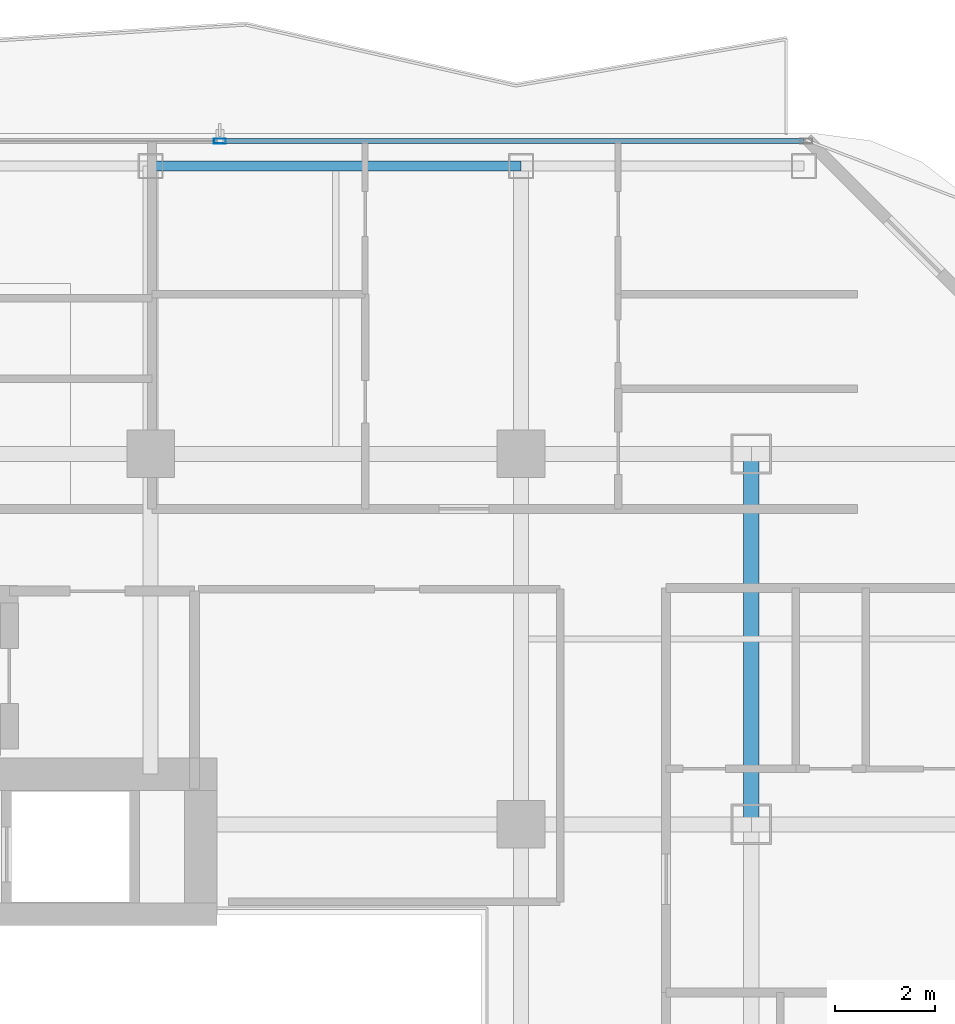
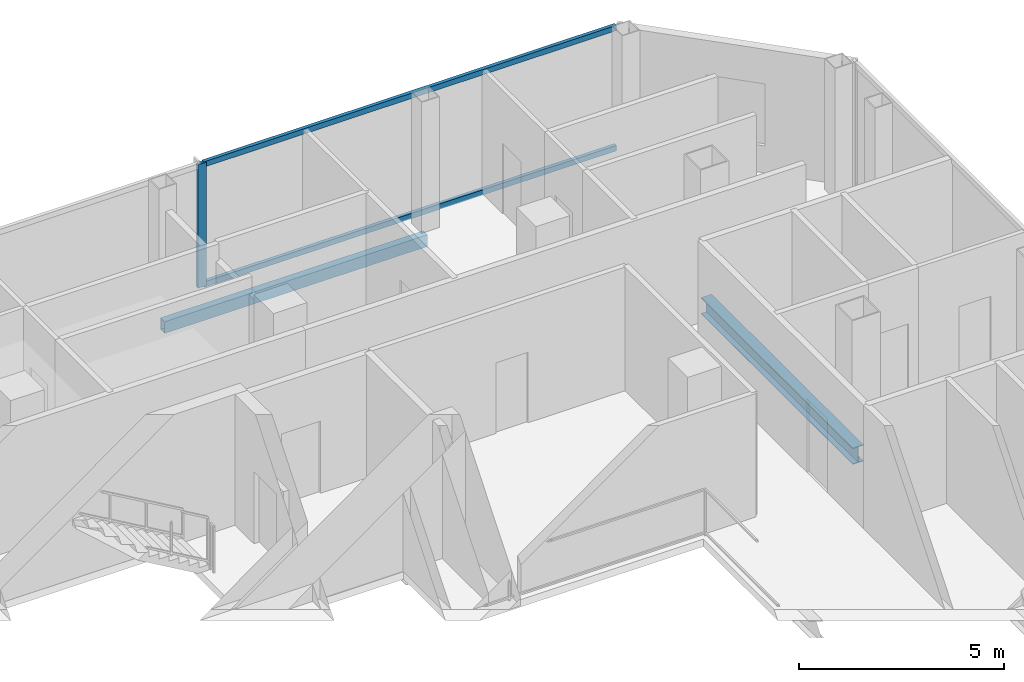
# One storey, part 14 of 26: 3 members, 2 beams, 1 element without a shape of its own.
"""IFC4 building model written with IfcOpenShell, lengths in metres."""

import ifcopenshell
import ifcopenshell.guid

model = None  # the IFC model being written
_history = None  # IfcOwnerHistory: only IFC2X3 demands one
_inside = {}  # id of a spatial element -> (the spatial element, [elements in it])
_under = {}  # id of a project, library or spatial element -> (it, [spatial elements below it])
_declared = {}  # id of a project -> (the project, [libraries it declares])
_typed = {}  # id of a type object -> (the type object, [elements of that type])
_made_of = {}  # id of a material, layer set ... -> (it, [elements and type objects made of it])


def new_model(schema):
    """Start an empty IFC model of exactly this schema.

    Asked for "IFC4X3", IfcOpenShell would pick the latest addendum, in which some entities
    have other attributes; the version numbers below select the first issue.
    IFC2X3 requires an IfcOwnerHistory on every rooted entity: one is made here for all.
    """
    global model, _history
    if schema == "IFC4X3":
        model = ifcopenshell.file(schema_version=(4, 3, 0, 0))
    else:
        model = ifcopenshell.file(schema=schema)
    _inside.clear()
    _under.clear()
    _declared.clear()
    _typed.clear()
    _made_of.clear()
    _history = None
    if model.schema == "IFC2X3":
        org = make("IfcOrganization", Name="unknown")
        user = make(
            "IfcPersonAndOrganization",
            ThePerson=make("IfcPerson", FamilyName="unknown"),
            TheOrganization=org,
        )
        app = make(
            "IfcApplication",
            ApplicationDeveloper=org,
            Version="unknown",
            ApplicationFullName="unknown",
            ApplicationIdentifier="unknown",
        )
        _history = make(
            "IfcOwnerHistory",
            OwningUser=user,
            OwningApplication=app,
            ChangeAction="ADDED",
            CreationDate=0,
        )
    return model


def make(cls, **values):
    """One entity of the class cls with the attributes given. An attribute that is None is left unset."""
    return model.create_entity(
        cls, **{name: value for name, value in values.items() if value is not None}
    )


def rooted(cls, **values):
    """An entity with a GlobalId (a new one), such as an element, a storey or a relation."""
    return make(cls, GlobalId=ifcopenshell.guid.new(), OwnerHistory=_history, **values)


def si_unit(unit_type, name, prefix=None):
    """IfcSIUnit, for example si_unit("LENGTHUNIT", "METRE", prefix="MILLI")."""
    return make("IfcSIUnit", UnitType=unit_type, Prefix=prefix, Name=name)


def assignment(units):
    """IfcUnitAssignment: the units of a project."""
    return None if units is None else make("IfcUnitAssignment", Units=units)


def point(xyz):
    """IfcCartesianPoint."""
    return None if xyz is None else make("IfcCartesianPoint", Coordinates=xyz)


def direction(xyz):
    """IfcDirection."""
    return None if xyz is None else make("IfcDirection", DirectionRatios=xyz)


def frame(location, z_axis=None, x_axis=None):
    """IfcAxis2Placement3D, a coordinate frame: its origin and axes. An axis left out is left unset."""
    return make(
        "IfcAxis2Placement3D",
        Location=point(location),
        Axis=direction(z_axis),
        RefDirection=direction(x_axis),
    )


def frame_2d(location, x_axis=None):
    """IfcAxis2Placement2D, a coordinate frame in the plane: its origin and x axis."""
    return make(
        "IfcAxis2Placement2D", Location=point(location), RefDirection=direction(x_axis)
    )


def origin():
    """The frame at (0, 0, 0) with its axes left unset."""
    return frame((0.0, 0.0, 0.0))


def origin_2d():
    """The frame at (0, 0) in the plane with its x axis left unset."""
    return frame_2d((0.0, 0.0))


def place(relative_to, where):
    """IfcLocalPlacement: puts the frame where relative to a parent placement (None: the world)."""
    return make(
        "IfcLocalPlacement", PlacementRelTo=relative_to, RelativePlacement=where
    )


def context(
    kind, dimensions, precision=None, world=None, true_north=None, identifier=None
):
    """IfcGeometricRepresentationContext, for example the 3D "Model" context."""
    return make(
        "IfcGeometricRepresentationContext",
        ContextIdentifier=identifier,
        ContextType=kind,
        CoordinateSpaceDimension=dimensions,
        Precision=precision,
        WorldCoordinateSystem=world,
        TrueNorth=true_north,
    )


def subcontext(parent, identifier, kind, view, scale=None):
    """IfcGeometricRepresentationSubContext, for example "Body" below "Model"."""
    return make(
        "IfcGeometricRepresentationSubContext",
        ContextIdentifier=identifier,
        ContextType=kind,
        ParentContext=parent,
        TargetScale=scale,
        TargetView=view,
    )


def project(units=None, contexts=None):
    """IfcProject with its units and contexts."""
    return rooted(
        "IfcProject",
        Name="project",
        RepresentationContexts=contexts,
        UnitsInContext=assignment(units),
    )


def spatial(cls, under=None, at=None, **own):
    """A site, building, storey or space (cls), placed at a placement, below another one or the project."""
    s = rooted(cls, ObjectPlacement=at, **own)
    if under is not None:
        _under.setdefault(under.id(), (under, []))[1].append(s)
    return s


def profile(cls, at=None, kind="AREA", **sizes):
    """A parametric profile (cls). Its sizes go by their IFC names, for example OverallWidth=200.0."""
    return make(cls, ProfileType=kind, Position=at, **sizes)


def hollow_rectangle(**sizes):
    """IfcRectangleHollowProfileDef."""
    return profile("IfcRectangleHollowProfileDef", **sizes)


def i_section(**sizes):
    """IfcIShapeProfileDef."""
    return profile("IfcIShapeProfileDef", **sizes)


def extrude(swept, where, along, depth):
    """IfcExtrudedAreaSolid: the profile swept, set in the frame where, extruded along a direction by depth."""
    return make(
        "IfcExtrudedAreaSolid",
        SweptArea=swept,
        Position=where,
        ExtrudedDirection=direction(along),
        Depth=depth,
    )


def shape(context_of_items, identifier, shape_type, items):
    """IfcShapeRepresentation: the items that make up one representation, for example the "Body"."""
    return make(
        "IfcShapeRepresentation",
        ContextOfItems=context_of_items,
        RepresentationIdentifier=identifier,
        RepresentationType=shape_type,
        Items=items,
    )


def material(Name=None, Category=None):
    """IfcMaterial."""
    return make("IfcMaterial", Name=Name, Category=Category)


def layer(
    of_material, thickness, ventilated=None, Name=None, Category=None, Priority=None
):
    """IfcMaterialLayer: one layer of a wall or slab, of a material (None: an air gap)."""
    return make(
        "IfcMaterialLayer",
        Material=of_material,
        LayerThickness=thickness,
        IsVentilated=ventilated,
        Name=Name,
        Category=Category,
        Priority=Priority,
    )


def layer_set(layers, Name=None):
    """IfcMaterialLayerSet."""
    return make("IfcMaterialLayerSet", MaterialLayers=layers, LayerSetName=Name)


def material_profile(
    of_material, cross_section, Name=None, Category=None, Priority=None
):
    """IfcMaterialProfile: a cross section and its material."""
    return make(
        "IfcMaterialProfile",
        Name=Name,
        Material=of_material,
        Profile=cross_section,
        Priority=Priority,
        Category=Category,
    )


def profile_set(profiles, Name=None, composite=None):
    """IfcMaterialProfileSet."""
    return make(
        "IfcMaterialProfileSet",
        Name=Name,
        MaterialProfiles=profiles,
        CompositeProfile=composite,
    )


def made_of(thing, what):
    """Note that an element or type object is made of a material, layer set ...; save() writes the relation."""
    if what is not None:
        _made_of.setdefault(what.id(), (what, []))[1].append(thing)
    return thing


def type_object(cls, material=None, **own):
    """A type object (cls), such as IfcWallType, which elements share."""
    return made_of(rooted(cls, **own), material)


def element(
    cls,
    number,
    at=None,
    inside=None,
    cuts=None,
    type_object=None,
    material=None,
    context=None,
    identifier="Body",
    shape_type=None,
    held_by="IfcProductDefinitionShape",
    body=None,
    shapes=None,
    **own,
):
    """One element of the class cls, such as IfcWall. Its Tag is "e" and its number.

    at: its placement. inside: the storey or other place that contains it. cuts: it is an
    opening in that element (IfcRelVoidsElement). A single representation is given by context,
    identifier, shape_type and body (its items); several are given by shapes. held_by: the class
    of the entity that holds the representations. save() writes the other relations.
    """
    e = rooted(cls, Tag="e%d" % number, ObjectPlacement=at, **own)
    if body is not None:
        shapes = [shape(context, identifier, shape_type, body)]
    if shapes is not None:
        e.Representation = make(held_by, Representations=shapes)
    if inside is not None:
        _inside.setdefault(inside.id(), (inside, []))[1].append(e)
    if cuts is not None:
        rooted(
            "IfcRelVoidsElement", RelatingBuildingElement=cuts, RelatedOpeningElement=e
        )
    if type_object is not None:
        _typed.setdefault(type_object.id(), (type_object, []))[1].append(e)
    return made_of(e, material)


def aggregate(whole, parts):
    """IfcRelAggregates: a whole, such as a stair, and the parts it consists of."""
    return rooted("IfcRelAggregates", RelatingObject=whole, RelatedObjects=parts)


def save(model, path):
    """Write the relations noted so far, then the file.

    IfcRelAggregates (storeys below a building ...), IfcRelContainedInSpatialStructure (elements
    in a storey), IfcRelDefinesByType, IfcRelAssociatesMaterial and IfcRelDeclares: one each for
    every whole, place, type object, material and project.
    """
    for whole, parts in _under.values():
        aggregate(whole, parts)
    for where, things in _inside.values():
        rooted(
            "IfcRelContainedInSpatialStructure",
            RelatedElements=things,
            RelatingStructure=where,
        )
    for kind, things in _typed.values():
        rooted("IfcRelDefinesByType", RelatedObjects=things, RelatingType=kind)
    for what, things in _made_of.values():
        rooted("IfcRelAssociatesMaterial", RelatedObjects=things, RelatingMaterial=what)
    for by, libraries in _declared.values():
        rooted("IfcRelDeclares", RelatingContext=by, RelatedDefinitions=libraries)
    model.write(path)


model = new_model("IFC4")

# Units and contexts
model_context = context("Model", 3, precision=1e-05, world=origin(), true_north=direction((0.0, 1.0)))
body_context = subcontext(model_context, "Body", "Model", "MODEL_VIEW")
ifc_project = project(units=[si_unit("LENGTHUNIT", "METRE"), si_unit("AREAUNIT", "SQUARE_METRE"), si_unit("VOLUMEUNIT", "CUBIC_METRE"), si_unit("PLANEANGLEUNIT", "RADIAN"), si_unit("MASSUNIT", "GRAM", prefix="KILO")], contexts=[model_context])

# Site, building, storey
site_placement = place(None, origin())
site = spatial("IfcSite", under=ifc_project, at=site_placement, CompositionType="ELEMENT")
building_placement = place(site_placement, origin())
building = spatial("IfcBuilding", under=site, at=building_placement, Name="Khorvyn Point Tower", CompositionType="ELEMENT")
storey_placement = place(building_placement, frame((0.0, 0.0, 262.5)))
storey = spatial("IfcBuildingStorey", under=building, at=storey_placement, Name="L64", CompositionType="ELEMENT", Elevation=262.5)

# Curtain wall, members
ifc_material_1 = material(Name="Anodised aluminium 6063-T6 and laminated Low-E glass", Category="aluminium")
ifc_layer = layer(ifc_material_1, 0.18994140625)
ifc_layer_set = layer_set([ifc_layer], Name="Stick-Built High-Wind Curtain Wall CW-SYS-04")
curtain_wall_type = type_object("IfcCurtainWallType", Name="Stick-Built High-Wind Curtain Wall CW-SYS-04", PredefinedType="NOTDEFINED", material=ifc_layer_set)
curtain_wall_placement = place(storey_placement, origin())
curtain_wall = element("IfcCurtainWall", 1, at=curtain_wall_placement, inside=storey, type_object=curtain_wall_type, Name="Curtain Wall", PredefinedType="NOTDEFINED")
ifc_material_2 = material(Name="Anodised aluminium 6063-T6", Category="aluminium")
ifc_material_profile_1 = material_profile(ifc_material_2, hollow_rectangle(XDim=0.10009765625, YDim=0.239990234375, WallThickness=0.0048828125, at=origin_2d()))
ifc_profile_set_1 = profile_set([ifc_material_profile_1], Name="Anodised aluminium 6063-T6 ALU-MUL-100x240")
member_type_1 = type_object("IfcMemberType", Name="Anodised Aluminium 6063-T6 Mullion ALU-MUL-100x240", PredefinedType="MULLION", material=ifc_profile_set_1)
member_1_placement = place(storey_placement, frame((8.782470703125, 21.050048828125, 0.0), z_axis=(0.0, 0.0, 1.0), x_axis=(0.0, 1.0, 0.0)))
member_1 = element("IfcMember", 2, at=member_1_placement, type_object=member_type_1, Name="Transom", PredefinedType="MULLION", context=body_context, shape_type="SweptSolid", body=[
    extrude(hollow_rectangle(XDim=0.10009765625, YDim=0.239990234375, WallThickness=0.0048828125, at=origin_2d()), origin(), (0.0, 0.0, 1.0), 3.679931640625),
])
ifc_material_profile_2 = material_profile(ifc_material_2, hollow_rectangle(XDim=0.10009765625, YDim=0.159912109375, WallThickness=0.00439453125, at=origin_2d()))
ifc_profile_set_2 = profile_set([ifc_material_profile_2], Name="Anodised aluminium 6063-T6 ALU-TRN-100x160")
member_type_2 = type_object("IfcMemberType", Name="Anodised Aluminium 6063-T6 Transom ALU-TRN-100x160", PredefinedType="USERDEFINED", material=ifc_profile_set_2)
member_2_placement = place(storey_placement, frame((8.83251953125, 21.050048828125, 0.050048828125), z_axis=(1.0, 0.0, 0.0), x_axis=(0.0, 1.0, 0.0)))
member_2 = element("IfcMember", 3, at=member_2_placement, type_object=member_type_2, Name="Transom", ObjectType="TRANSOM", PredefinedType="USERDEFINED", context=body_context, shape_type="SweptSolid", body=[
    extrude(hollow_rectangle(XDim=0.10009765625, YDim=0.159912109375, WallThickness=0.00439453125, at=origin_2d()), origin(), (0.0, 0.0, 1.0), 11.617431640625),
])
member_3_placement = place(storey_placement, frame((8.83251953125, 21.050048828125, 3.6298828125), z_axis=(1.0, 0.0, 0.0), x_axis=(0.0, 1.0, 0.0)))
member_3 = element("IfcMember", 4, at=member_3_placement, type_object=member_type_2, Name="Transom", ObjectType="TRANSOM", PredefinedType="USERDEFINED", context=body_context, shape_type="SweptSolid", body=[
    extrude(hollow_rectangle(XDim=0.10009765625, YDim=0.159912109375, WallThickness=0.00439453125, at=origin_2d()), origin(), (0.0, 0.0, 1.0), 11.617431640625),
])
aggregate(curtain_wall, [member_1, member_2, member_3])

# Beams
ifc_material_3 = material(Name="Steel S355", Category="steel")
ifc_material_profile_3 = material_profile(ifc_material_3, i_section(OverallWidth=0.300048828125, OverallDepth=0.488037109375, WebThickness=0.010986328125, FlangeThickness=0.01806640625, at=origin_2d()))
ifc_profile_set_3 = profile_set([ifc_material_profile_3], Name="Steel S355 H488x300x11x18")
beam_type_1 = type_object("IfcBeamType", Name="Steel S355 Spandrel H488x300x11x18", PredefinedType="SPANDREL", material=ifc_profile_set_3)
beam_1_placement = place(storey_placement, frame((19.39990234375, 7.39990234375, -0.464111328125), z_axis=(0.0, 1.0, 0.0), x_axis=(-1.0, 0.0, 0.0)))
element("IfcBeam", 5, at=beam_1_placement, inside=storey, type_object=beam_type_1, Name="Beam", PredefinedType="SPANDREL", context=body_context, shape_type="SweptSolid", body=[
    extrude(i_section(OverallWidth=0.300048828125, OverallDepth=0.488037109375, WebThickness=0.010986328125, FlangeThickness=0.01806640625, at=origin_2d()), origin(), (0.0, 0.0, 1.0), 7.400146484375),
])
ifc_material_profile_4 = material_profile(ifc_material_3, hollow_rectangle(XDim=0.199951171875, YDim=0.35009765625, WallThickness=0.013916015625, at=origin_2d()))
ifc_profile_set_4 = profile_set([ifc_material_profile_4], Name="Steel S355 RHS350x200x14")
beam_type_2 = type_object("IfcBeamType", Name="Steel S355 Spandrel RHS350x200x14", PredefinedType="SPANDREL", material=ifc_profile_set_4)
beam_2_placement = place(storey_placement, frame((7.39990234375, 20.550048828125, -0.39501953125), z_axis=(1.0, 0.0, 0.0), x_axis=(0.0, 1.0, 0.0)))
element("IfcBeam", 6, at=beam_2_placement, inside=storey, type_object=beam_type_2, Name="Beam", PredefinedType="SPANDREL", context=body_context, shape_type="SweptSolid", body=[
    extrude(hollow_rectangle(XDim=0.199951171875, YDim=0.35009765625, WallThickness=0.013916015625, at=origin_2d()), origin(), (0.0, 0.0, 1.0), 7.400146484375),
])

save(model, "model.ifc")
